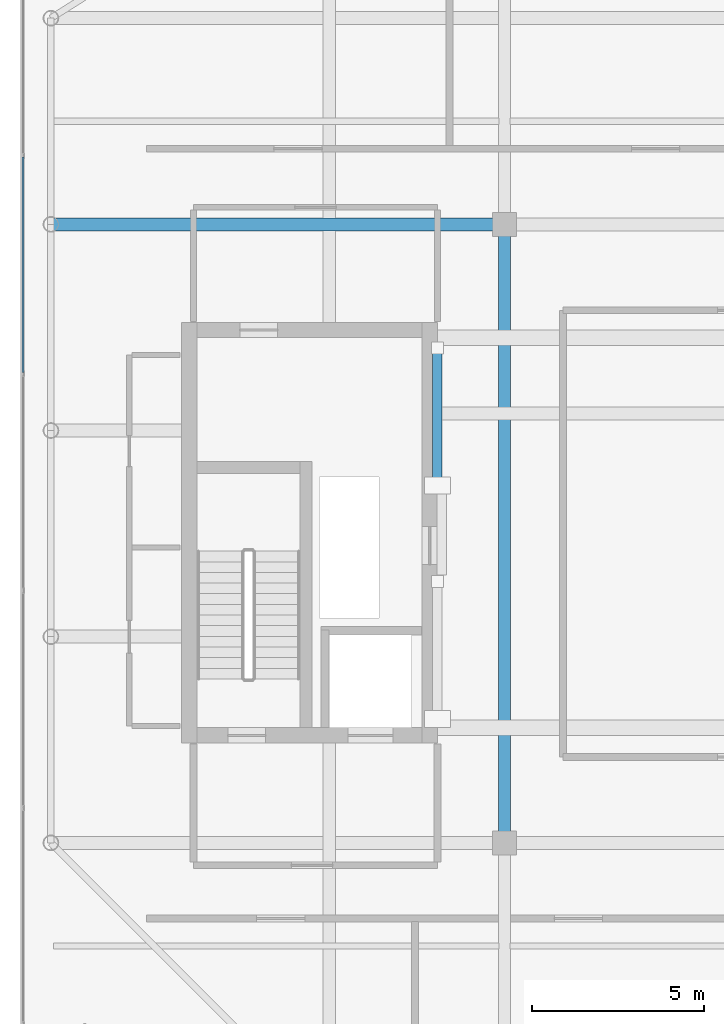
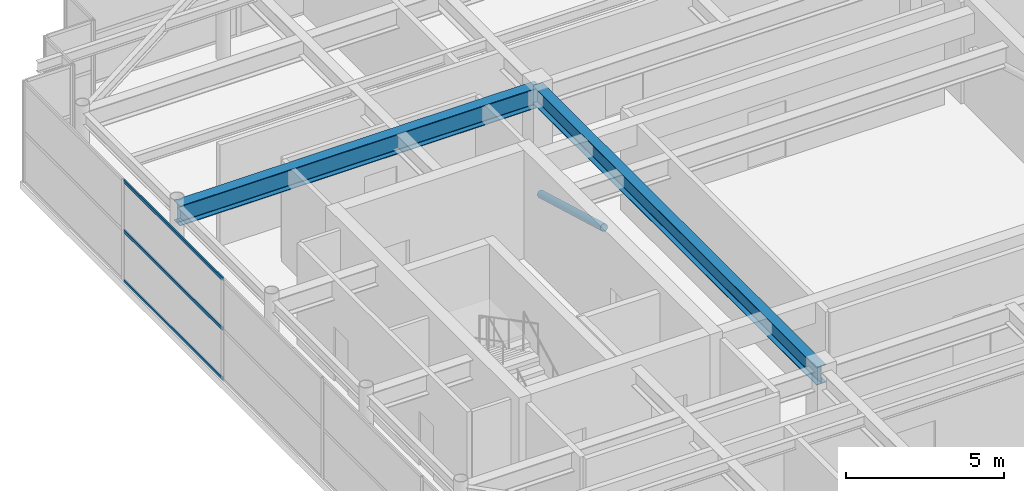
# One storey, part 12 of 32: 4 members, 2 beams, 1 element without a shape of its own.
"""IFC4 building model written with IfcOpenShell, lengths in metres."""

from ifc_helpers import new_model, si_unit, direction, frame, origin, origin_2d, place, context, subcontext, project, spatial, hollow_rectangle, hollow_circle, i_section, extrude, source, transform, mapped, material, layer, layer_set, material_profile, profile_set, type_object, element, aggregate, save


model = new_model("IFC4")

# Units and contexts
model_context = context("Model", 3, precision=1e-05, world=origin(), true_north=direction((0.0, 1.0)))
body_context = subcontext(model_context, "Body", "Model", "MODEL_VIEW")
ifc_project = project(units=[si_unit("LENGTHUNIT", "METRE"), si_unit("AREAUNIT", "SQUARE_METRE"), si_unit("VOLUMEUNIT", "CUBIC_METRE"), si_unit("PLANEANGLEUNIT", "RADIAN"), si_unit("MASSUNIT", "GRAM", prefix="KILO")], contexts=[model_context])

# Site, building, storey
site_placement = place(None, origin())
site = spatial("IfcSite", under=ifc_project, at=site_placement, CompositionType="ELEMENT")
building_placement = place(site_placement, origin())
building = spatial("IfcBuilding", under=site, at=building_placement, Name="Khoralis Quay Care Tower", CompositionType="ELEMENT")
storey_placement = place(building_placement, frame((0.0, 0.0, 310.5)))
storey = spatial("IfcBuildingStorey", under=building, at=storey_placement, Name="L81", CompositionType="ELEMENT", Elevation=310.5)

# Beams
ifc_material_1 = material(Name="Steel S355", Category="steel")
ifc_material_profile_1 = material_profile(ifc_material_1, i_section(OverallWidth=0.35498046875, OverallDepth=0.695068359375, WebThickness=0.015380859375, FlangeThickness=0.02490234375, FilletRadius=0.02001953125, at=origin_2d()), Name="Steel S355")
ifc_profile_set_1 = profile_set([ifc_material_profile_1], Name="Steel S355")
beam_type_1 = type_object("IfcBeamType", Name="BM-W690X217", PredefinedType="BEAM", material=ifc_profile_set_1)
shared_shape_1 = source(origin(), body_context, "Body", "SweptSolid", [
    extrude(i_section(OverallWidth=0.35498046875, OverallDepth=0.695068359375, WebThickness=0.015380859375, FlangeThickness=0.02490234375, FilletRadius=0.02001953125, at=origin_2d()), origin(), (0.0, 0.0, 1.0), 18.0),
])
beam_1_placement = place(storey_placement, frame((17.10009765625, 12.0, 3.572509765625), z_axis=(0.0, 1.0, 0.0), x_axis=(-1.0, 0.0, 0.0)))
element("IfcBeam", 1, at=beam_1_placement, inside=storey, type_object=beam_type_1, Name="BM-TGSW-L81", PredefinedType="BEAM", context=body_context, shape_type="MappedRepresentation", body=[
    mapped(shared_shape_1, transform((0.0, 0.0, 0.0), scale=1.0)),
])
ifc_material_profile_2 = material_profile(ifc_material_1, i_section(OverallWidth=0.381103515625, OverallDepth=0.77294921875, WebThickness=0.0166015625, FlangeThickness=0.027587890625, FilletRadius=0.02197265625, at=origin_2d()), Name="Steel S355")
ifc_profile_set_2 = profile_set([ifc_material_profile_2], Name="Steel S355")
beam_type_2 = type_object("IfcBeamType", Name="BM-W760X257", PredefinedType="BEAM", material=ifc_profile_set_2)
shared_shape_2 = source(origin(), body_context, "Body", "SweptSolid", [
    extrude(i_section(OverallWidth=0.381103515625, OverallDepth=0.77294921875, WebThickness=0.0166015625, FlangeThickness=0.027587890625, FilletRadius=0.02197265625, at=origin_2d()), origin(), (0.0, 0.0, 1.0), 13.2001953125),
])
beam_2_placement = place(storey_placement, frame((3.89990234375, 30.0, 3.533447265625), z_axis=(1.0, 0.0, 0.0), x_axis=(0.0, 1.0, 0.0)))
element("IfcBeam", 2, at=beam_2_placement, inside=storey, type_object=beam_type_2, Name="BM-TGXW-L81-300", PredefinedType="BEAM", context=body_context, shape_type="MappedRepresentation", body=[
    mapped(shared_shape_2, transform((0.0, 0.0, 0.0), scale=1.0)),
])

# Member
ifc_material_profile_3 = material_profile(ifc_material_1, hollow_circle(Radius=0.136474609375, WallThickness=0.012451171875, at=origin_2d()), Name="Steel S355")
ifc_profile_set_3 = profile_set([ifc_material_profile_3], Name="Steel S355")
member_type_1 = type_object("IfcMemberType", Name="ST-CHS273X12", PredefinedType="STRUT", material=ifc_profile_set_3)
shared_shape_3 = source(origin(), body_context, "Body", "SweptSolid", [
    extrude(hollow_circle(Radius=0.136474609375, WallThickness=0.012451171875, at=origin_2d()), origin(), (0.0, 0.0, 1.0), 4.156494140625),
])
member_1_placement = place(storey_placement, frame((15.14794921875, 22.39990234375, 3.64990234375), z_axis=(0.0, 0.962344148942, -0.2718340284), x_axis=(-1.0, 0.0, 0.0)))
element("IfcMember", 3, at=member_1_placement, inside=storey, type_object=member_type_1, Name="L81 Lantern Diagrid Strut 2", PredefinedType="STRUT", context=body_context, shape_type="MappedRepresentation", body=[
    mapped(shared_shape_3, transform((0.0, 0.0, 0.0), scale=1.0)),
])

# Curtain wall, members
ifc_material_2 = material(Name="Pale anodised aluminium", Category="aluminium")
ifc_layer = layer(ifc_material_2, 0.199951171875)
ifc_layer_set = layer_set([ifc_layer], Name="Pale anodised aluminium")
curtain_wall_type = type_object("IfcCurtainWallType", Name="CW-SYS-LANTERN", PredefinedType="NOTDEFINED", material=ifc_layer_set)
curtain_wall_placement = place(storey_placement, origin())
curtain_wall = element("IfcCurtainWall", 4, at=curtain_wall_placement, inside=storey, type_object=curtain_wall_type, Name="L81 Unitised Curtain Wall CW-LN-L81-16", PredefinedType="NOTDEFINED")
ifc_material_profile_4 = material_profile(ifc_material_2, hollow_rectangle(XDim=0.054931640625, YDim=0.1201171875, WallThickness=0.00390625, at=origin_2d()), Name="Pale anodised aluminium")
ifc_profile_set_4 = profile_set([ifc_material_profile_4], Name="Pale anodised aluminium")
member_type_2 = type_object("IfcMemberType", Name="CW-TRN-120", PredefinedType="USERDEFINED", material=ifc_profile_set_4)
shared_shape_4 = source(origin(), body_context, "Body", "SweptSolid", [
    extrude(hollow_rectangle(XDim=0.054931640625, YDim=0.1201171875, WallThickness=0.00390625, at=origin_2d()), origin(), (0.0, 0.0, 1.0), 6.26416015625),
])
member_2_placement = place(storey_placement, frame((3.090087890625, 31.9560546875, 0.030029296875), z_axis=(0.0, -1.0, 0.0), x_axis=(1.0, 0.0, 0.0)))
member_2 = element("IfcMember", 5, at=member_2_placement, type_object=member_type_2, Name="CW5 transom 2.1", ObjectType="TRANSOM", PredefinedType="USERDEFINED", context=body_context, shape_type="MappedRepresentation", body=[
    mapped(shared_shape_4, transform((0.0, 0.0, 0.0), scale=1.0)),
])
member_3_placement = place(storey_placement, frame((3.090087890625, 31.9560546875, 1.9599609375), z_axis=(0.0, -1.0, 0.0), x_axis=(1.0, 0.0, 0.0)))
member_3 = element("IfcMember", 6, at=member_3_placement, type_object=member_type_2, Name="CW5 transom 2.2", ObjectType="TRANSOM", PredefinedType="USERDEFINED", context=body_context, shape_type="MappedRepresentation", body=[
    mapped(shared_shape_4, transform((0.0, 0.0, 0.0), scale=1.0)),
])
member_4_placement = place(storey_placement, frame((3.090087890625, 31.9560546875, 3.889892578125), z_axis=(0.0, -1.0, 0.0), x_axis=(1.0, 0.0, 0.0)))
member_4 = element("IfcMember", 7, at=member_4_placement, type_object=member_type_2, Name="CW5 transom 2.3", ObjectType="TRANSOM", PredefinedType="USERDEFINED", context=body_context, shape_type="MappedRepresentation", body=[
    mapped(shared_shape_4, transform((0.0, 0.0, 0.0), scale=1.0)),
])
aggregate(curtain_wall, [member_2, member_3, member_4])

save(model, "model.ifc")
